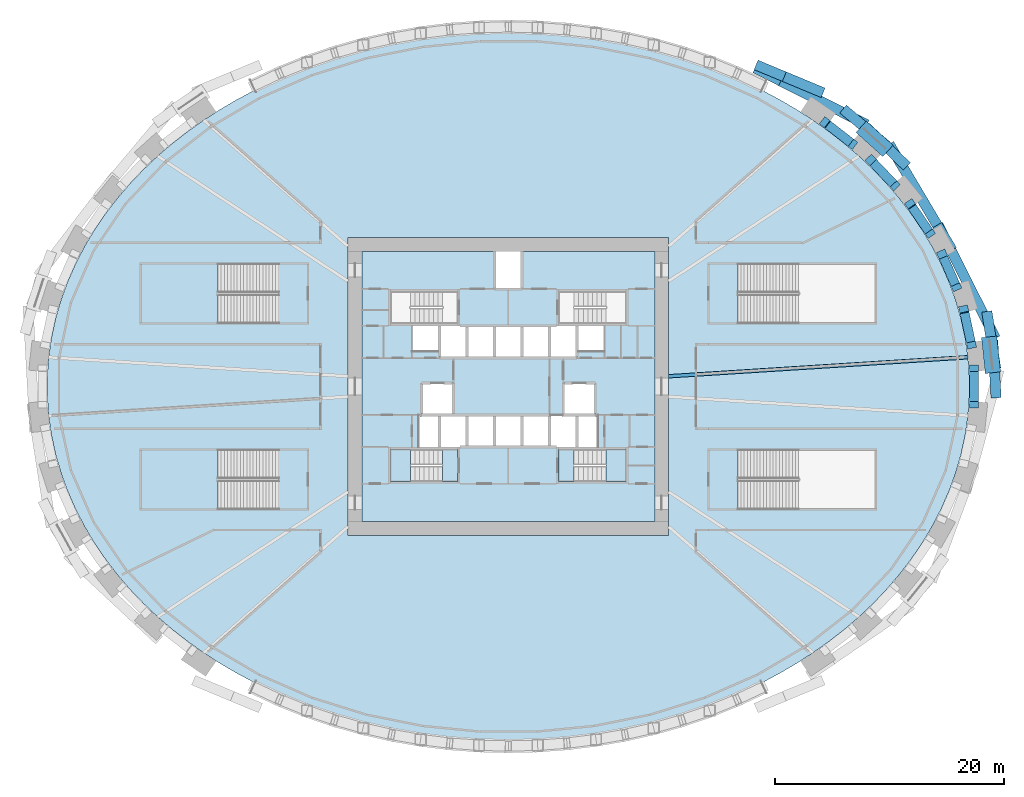
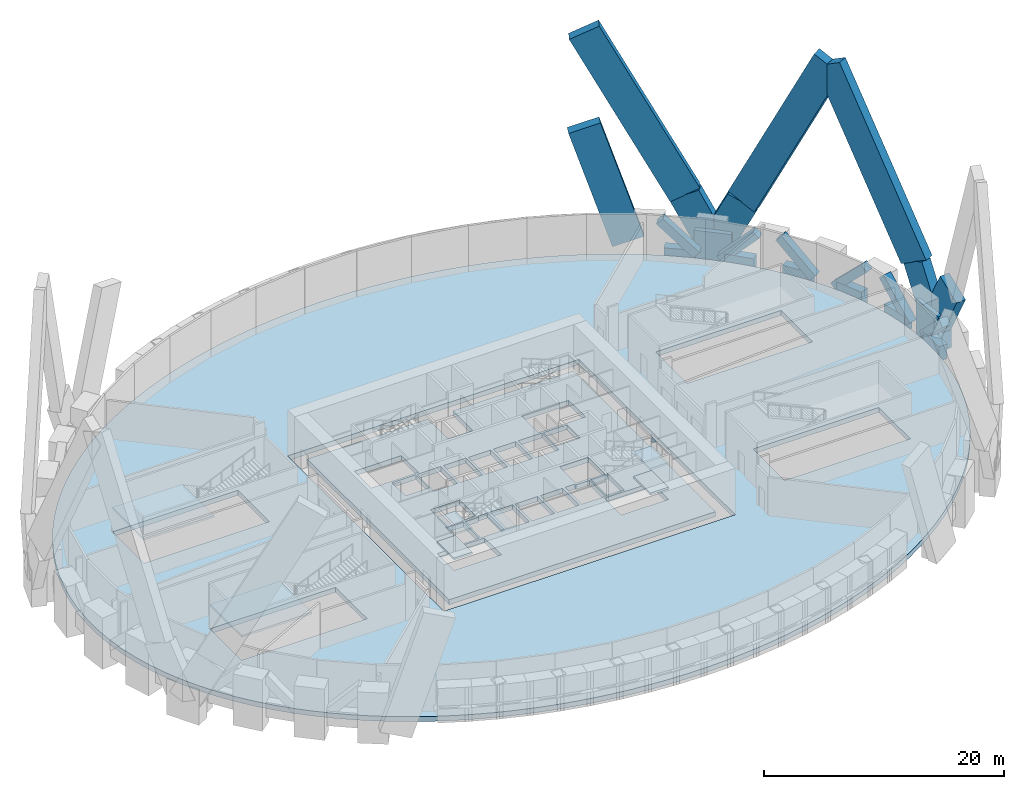
# One storey, part 5 of 16: 16 members, 10 slabs, 7 beams, 4 elements without a shape of their own.
"""IFC4 building model written with IfcOpenShell, lengths in metres."""

from ifc_helpers import new_model, si_unit, direction, frame, origin, origin_2d, place, context, subcontext, project, spatial, polyline, rectangle, i_section, outline, extrude, source, transform, mapped, material, layer, layer_set, material_profile, profile_set, type_object, element, aggregate, save


model = new_model("IFC4")

# Units and contexts
model_context = context("Model", 3, precision=1e-05, world=origin(), true_north=direction((0.0, 1.0)))
body_context = subcontext(model_context, "Body", "Model", "MODEL_VIEW")
ifc_project = project(units=[si_unit("LENGTHUNIT", "METRE"), si_unit("AREAUNIT", "SQUARE_METRE"), si_unit("VOLUMEUNIT", "CUBIC_METRE"), si_unit("PLANEANGLEUNIT", "RADIAN"), si_unit("MASSUNIT", "GRAM", prefix="KILO")], contexts=[model_context])

# Site, building, storey
site_placement = place(None, origin())
site = spatial("IfcSite", under=ifc_project, at=site_placement, CompositionType="ELEMENT")
building_placement = place(site_placement, origin())
building = spatial("IfcBuilding", under=site, at=building_placement, Name="Embergate Tower", CompositionType="ELEMENT")
storey_placement = place(building_placement, frame((0.0, 0.0, 24.0)))
storey = spatial("IfcBuildingStorey", under=building, at=storey_placement, Name="L02", CompositionType="ELEMENT", Elevation=24.0)

# Beams
ifc_material_1 = material(Name="Concrete C70", Category="concrete")
ifc_material_profile_1 = material_profile(ifc_material_1, rectangle(XDim=0.800048828125, YDim=1.5, at=origin_2d()), Name="RC 800x1500")
ifc_profile_set_1 = profile_set([ifc_material_profile_1], Name="Concrete C70")
beam_type_1 = type_object("IfcBeamType", Name="Spandrel beam RC 800x1500 C70", PredefinedType="BEAM", material=ifc_profile_set_1)
shared_shape_1 = source(origin(), body_context, "Body", "SweptSolid", [
    extrude(rectangle(XDim=0.800048828125, YDim=1.5, at=origin_2d()), origin(), (0.0, 0.0, 1.0), 2.59716796875),
])
beam_1_placement = place(storey_placement, frame((40.407958984375, 3.885009765625, 0.0), z_axis=(-0.210196709523, 0.977659114061, 0.0), x_axis=(-0.977659114061, -0.210196709523, 0.0)))
element("IfcBeam", 1, at=beam_1_placement, inside=storey, type_object=beam_type_1, Name="SPN-L02-00", PredefinedType="BEAM", context=body_context, shape_type="MappedRepresentation", body=[
    mapped(shared_shape_1, transform((0.0, 0.0, 0.0))),
])
shared_shape_2 = source(origin(), body_context, "Body", "SweptSolid", [
    extrude(rectangle(XDim=0.800048828125, YDim=1.5, at=origin_2d()), origin(), (0.0, 0.0, 1.0), 2.594482421875),
])
beam_2_placement = place(storey_placement, frame((39.06201171875, 8.89794921875, 0.0), z_axis=(-0.401628265127, 0.915802782618, 0.0), x_axis=(-0.915802782618, -0.401628265127, 0.0)))
element("IfcBeam", 2, at=beam_2_placement, inside=storey, type_object=beam_type_1, Name="SPN-L02-01", PredefinedType="BEAM", context=body_context, shape_type="MappedRepresentation", body=[
    mapped(shared_shape_2, transform((0.0, 0.0, 0.0))),
])
shared_shape_3 = source(origin(), body_context, "Body", "SweptSolid", [
    extrude(rectangle(XDim=0.800048828125, YDim=1.5, at=origin_2d()), origin(), (0.0, 0.0, 1.0), 2.583251953125),
])
beam_3_placement = place(storey_placement, frame((36.743896484375, 13.5390625, 0.0), z_axis=(-0.562418587306, 0.826852666836, 0.0), x_axis=(-0.826852666836, -0.562418587306, 0.0)))
element("IfcBeam", 3, at=beam_3_placement, inside=storey, type_object=beam_type_1, Name="SPN-L02-02", PredefinedType="BEAM", context=body_context, shape_type="MappedRepresentation", body=[
    mapped(shared_shape_3, transform((0.0, 0.0, 0.0))),
])
shared_shape_4 = source(origin(), body_context, "Body", "SweptSolid", [
    extrude(rectangle(XDim=0.800048828125, YDim=1.5, at=origin_2d()), origin(), (0.0, 0.0, 1.0), 2.577392578125),
])
beam_4_placement = place(storey_placement, frame((33.656982421875, 17.697021484375, 0.0), z_axis=(-0.68985145899, 0.723950940692, 0.0), x_axis=(-0.723950940692, -0.68985145899, 0.0)))
element("IfcBeam", 4, at=beam_4_placement, inside=storey, type_object=beam_type_1, Name="SPN-L02-03", PredefinedType="BEAM", context=body_context, shape_type="MappedRepresentation", body=[
    mapped(shared_shape_4, transform((0.0, 0.0, 0.0))),
])
shared_shape_5 = source(origin(), body_context, "Body", "SweptSolid", [
    extrude(rectangle(XDim=0.800048828125, YDim=1.5, at=origin_2d()), origin(), (0.0, 0.0, 1.0), 2.568359375),
])
beam_5_placement = place(storey_placement, frame((29.93798828125, 21.29296875, 0.0), z_axis=(-0.788378750505, 0.615190170396, 0.0), x_axis=(-0.615190170396, -0.788378750505, 0.0)))
element("IfcBeam", 5, at=beam_5_placement, inside=storey, type_object=beam_type_1, Name="SPN-L02-04", PredefinedType="BEAM", context=body_context, shape_type="MappedRepresentation", body=[
    mapped(shared_shape_5, transform((0.0, 0.0, 0.0))),
])
shared_shape_6 = source(origin(), body_context, "Body", "SweptSolid", [
    extrude(rectangle(XDim=0.800048828125, YDim=1.5, at=origin_2d()), origin(), (0.0, 0.0, 1.0), 2.60400390625),
])
beam_6_placement = place(storey_placement, frame((40.7041015625, -1.302001953125, 0.0), z_axis=(0.0, 1.0, 0.0), x_axis=(-1.0, 0.0, 0.0)))
element("IfcBeam", 6, at=beam_6_placement, inside=storey, type_object=beam_type_1, Name="SPN-L02-43", PredefinedType="BEAM", context=body_context, shape_type="MappedRepresentation", body=[
    mapped(shared_shape_6, transform((0.0, 0.0, 0.0))),
])
ifc_material_2 = material(Name="Steel Q355B", Category="steel")
ifc_material_profile_2 = material_profile(ifc_material_2, i_section(OverallWidth=0.300048828125, OverallDepth=0.587890625, WebThickness=0.011962890625, FlangeThickness=0.02001953125, FilletRadius=0.012939453125, at=origin_2d()), Name="HM 588x300x12x20")
ifc_profile_set_2 = profile_set([ifc_material_profile_2], Name="Steel Q355 grade B")
beam_type_2 = type_object("IfcBeamType", Name="Plant girder HM 588x300x12x20", PredefinedType="BEAM", material=ifc_profile_set_2)
shared_shape_7 = source(origin(), body_context, "Body", "SweptSolid", [
    extrude(i_section(OverallWidth=0.300048828125, OverallDepth=0.587890625, WebThickness=0.011962890625, FlangeThickness=0.02001953125, FilletRadius=0.012939453125, at=origin_2d()), origin(), (0.0, 0.0, 1.0), 26.216796875),
])
beam_7_placement = place(storey_placement, frame((40.1640625, 2.552001953125, -0.7939453125), z_axis=(-0.997985925942, -0.063435728273, 0.0), x_axis=(0.063435728273, -0.997985925942, 0.0)))
element("IfcBeam", 7, at=beam_7_placement, inside=storey, type_object=beam_type_2, Name="GIR-L02-00", PredefinedType="BEAM", context=body_context, shape_type="MappedRepresentation", body=[
    mapped(shared_shape_7, transform((0.0, 0.0, 0.0))),
])

# Members
ifc_material_profile_3 = material_profile(ifc_material_1, rectangle(XDim=0.800048828125, YDim=0.800048828125, at=origin_2d()), Name="RC 800x800")
ifc_profile_set_3 = profile_set([ifc_material_profile_3], Name="Concrete C70")
member_type_1 = type_object("IfcMemberType", Name="Belt ring diagonal RC 800x800", PredefinedType="BRACE", material=ifc_profile_set_3)
shared_shape_8 = source(origin(), body_context, "Body", "SweptSolid", [
    extrude(rectangle(XDim=0.800048828125, YDim=0.800048828125, at=origin_2d()), origin(), (0.0, 0.0, 1.0), 4.548583984375),
])
member_1_placement = place(storey_placement, frame((40.465087890625, 3.6220703125, 0.166015625), z_axis=(-0.148834484333, 0.692056199419, 0.706333145987), x_axis=(-0.977646803044, -0.210253961908, 0.0)))
element("IfcMember", 8, at=member_1_placement, inside=storey, type_object=member_type_1, Name="BLT-L02-00", PredefinedType="BRACE", context=body_context, shape_type="MappedRepresentation", body=[
    mapped(shared_shape_8, transform((0.0, 0.0, 0.0))),
])
shared_shape_9 = source(origin(), body_context, "Body", "SweptSolid", [
    extrude(rectangle(XDim=0.800048828125, YDim=0.800048828125, at=origin_2d()), origin(), (0.0, 0.0, 1.0), 4.48681640625),
])
member_2_placement = place(storey_placement, frame((37.8779296875, 11.597900390625, 0.0810546875), z_axis=(0.284201174876, -0.647900323425, 0.706721206067), x_axis=(0.915770340251, 0.401702232899, 0.0)))
element("IfcMember", 9, at=member_2_placement, inside=storey, type_object=member_type_1, Name="BLT-L02-01", PredefinedType="BRACE", context=body_context, shape_type="MappedRepresentation", body=[
    mapped(shared_shape_9, transform((0.0, 0.0, 0.0))),
])
shared_shape_10 = source(origin(), body_context, "Body", "SweptSolid", [
    extrude(rectangle(XDim=0.800048828125, YDim=0.800048828125, at=origin_2d()), origin(), (0.0, 0.0, 1.0), 4.419677734375),
])
member_3_placement = place(storey_placement, frame((36.846923828125, 13.386962890625, 0.25), z_axis=(-0.397071099663, 0.58378511147, 0.708187464898), x_axis=(-0.826862464884, -0.562404182209, 0.0)))
element("IfcMember", 10, at=member_3_placement, inside=storey, type_object=member_type_1, Name="BLT-L02-02", PredefinedType="BRACE", context=body_context, shape_type="MappedRepresentation", body=[
    mapped(shared_shape_10, transform((0.0, 0.0, 0.0))),
])
shared_shape_11 = source(origin(), body_context, "Body", "SweptSolid", [
    extrude(rectangle(XDim=0.800048828125, YDim=0.800048828125, at=origin_2d()), origin(), (0.0, 0.0, 1.0), 4.395751953125),
])
member_4_placement = place(storey_placement, frame((31.635986328125, 19.818115234375, 0.0791015625), z_axis=(0.4863692668, -0.510529439354, 0.709087179312), x_axis=(0.724031150672, 0.689767274417, 0.0)))
element("IfcMember", 11, at=member_4_placement, inside=storey, type_object=member_type_1, Name="BLT-L02-03", PredefinedType="BRACE", context=body_context, shape_type="MappedRepresentation", body=[
    mapped(shared_shape_11, transform((0.0, 0.0, 0.0))),
])
shared_shape_12 = source(origin(), body_context, "Body", "SweptSolid", [
    extrude(rectangle(XDim=0.800048828125, YDim=0.800048828125, at=origin_2d()), origin(), (0.0, 0.0, 1.0), 4.3896484375),
])
member_5_placement = place(storey_placement, frame((30.071044921875, 21.18896484375, 0.262939453125), z_axis=(-0.554726152851, 0.432868823705, 0.710565603451), x_axis=(-0.615192978078, -0.788376559598, 0.0)))
element("IfcMember", 12, at=member_5_placement, inside=storey, type_object=member_type_1, Name="BLT-L02-04", PredefinedType="BRACE", context=body_context, shape_type="MappedRepresentation", body=[
    mapped(shared_shape_12, transform((0.0, 0.0, 0.0))),
])
shared_shape_13 = source(origin(), body_context, "Body", "SweptSolid", [
    extrude(rectangle(XDim=0.800048828125, YDim=0.800048828125, at=origin_2d()), origin(), (0.0, 0.0, 1.0), 4.5537109375),
])
member_6_placement = place(storey_placement, frame((40.7041015625, 1.614013671875, 0.1240234375), z_axis=(0.0, -0.708873803583, 0.705335332018), x_axis=(1.0, 0.0, 0.0)))
element("IfcMember", 13, at=member_6_placement, inside=storey, type_object=member_type_1, Name="BLT-L02-43", PredefinedType="BRACE", context=body_context, shape_type="MappedRepresentation", body=[
    mapped(shared_shape_13, transform((0.0, 0.0, 0.0))),
])
ifc_material_profile_4 = material_profile(ifc_material_1, rectangle(XDim=1.35009765625, YDim=3.14990234375, at=origin_2d()), Name="RC 1350x3150")
ifc_profile_set_4 = profile_set([ifc_material_profile_4], Name="Concrete C70")
member_type_2 = type_object("IfcMemberType", Name="Lattice node block RC 1350x3150", PredefinedType="POST", material=ifc_profile_set_4)
shared_shape_14 = source(origin(), body_context, "Body", "SweptSolid", [
    extrude(rectangle(XDim=1.35009765625, YDim=3.14990234375, at=origin_2d()), origin(), (0.0, 0.0, 1.0), 3.64990234375),
])
for number, where, z_axis, x_axis, name in (
    (14, (42.177001953125, 2.76806640625, -1.824951171875), (0.0, 0.0, 1.0), (0.99428589498, 0.106749983816, 0.0), "NOD-L02-00"),
    (15, (31.9990234375, 21.637939453125, -1.824951171875), (0.0, 0.0, 1.0), (0.669208424634, 0.74307475021, 0.0), "NOD-L02-04"),
):
    element("IfcMember", number, at=place(storey_placement, frame(where, z_axis=z_axis, x_axis=x_axis)), inside=storey, type_object=member_type_2, Name=name, PredefinedType="POST", context=body_context, shape_type="MappedRepresentation", body=[
        mapped(shared_shape_14, transform((0.0, 0.0, 0.0))),
    ])
ifc_material_profile_5 = material_profile(ifc_material_1, rectangle(XDim=0.89990234375, YDim=2.800048828125, at=origin_2d()), Name="RC 900x2800")
ifc_profile_set_5 = profile_set([ifc_material_profile_5], Name="Concrete C70")
member_type_3 = type_object("IfcMemberType", Name="Lattice diagonal terracotta-faced RC 900x2800", PredefinedType="BRACE", material=ifc_profile_set_5)
shared_shape_15 = source(origin(), body_context, "Body", "SweptSolid", [
    extrude(rectangle(XDim=0.89990234375, YDim=2.800048828125, at=origin_2d()), origin(), (0.0, 0.0, 1.0), 5.616943359375),
])
member_7_placement = place(storey_placement, frame((42.39990234375, 2.7919921875, 0.0), z_axis=(-0.070675594574, 0.450089656713, 0.890182150602), x_axis=(-0.987894884623, -0.155124778599, 0.0)))
element("IfcMember", 16, at=member_7_placement, inside=storey, type_object=member_type_3, Name="BRC-L02-00-02-S00", PredefinedType="BRACE", context=body_context, shape_type="MappedRepresentation", body=[
    mapped(shared_shape_15, transform((0.0, 0.0, 0.0))),
])
shared_shape_16 = source(origin(), body_context, "Body", "SweptSolid", [
    extrude(rectangle(XDim=0.89990234375, YDim=2.800048828125, at=origin_2d()), origin(), (0.0, 0.0, 1.0), 18.8837890625),
])
member_8_placement = place(storey_placement, frame((42.0029296875, 5.320068359375, 5.0), z_axis=(-0.205836893928, 0.40760126593, 0.889658575584), x_axis=(-0.892636332639, -0.450777525675, 0.0)))
element("IfcMember", 17, at=member_8_placement, inside=storey, type_object=member_type_3, Name="BRC-L02-00-02-S01", PredefinedType="BRACE", context=body_context, shape_type="MappedRepresentation", body=[
    mapped(shared_shape_16, transform((0.0, 0.0, 0.0))),
])
shared_shape_17 = source(origin(), body_context, "Body", "SweptSolid", [
    extrude(rectangle(XDim=0.89990234375, YDim=2.800048828125, at=origin_2d()), origin(), (0.0, 0.0, 1.0), 5.61376953125),
])
member_9_placement = place(storey_placement, frame((42.39990234375, 2.7919921875, 0.0), z_axis=(0.026571881541, -0.453896444583, 0.890658157043), x_axis=(0.998290825052, 0.058441668497, 0.0)))
element("IfcMember", 18, at=member_9_placement, inside=storey, type_object=member_type_3, Name="BRC-L02-00-42-S00", PredefinedType="BRACE", context=body_context, shape_type="MappedRepresentation", body=[
    mapped(shared_shape_17, transform((0.0, 0.0, 0.0))),
])
shared_shape_18 = source(origin(), body_context, "Body", "SweptSolid", [
    extrude(rectangle(XDim=0.89990234375, YDim=2.800048828125, at=origin_2d()), origin(), (0.0, 0.0, 1.0), 5.572509765625),
])
member_10_placement = place(storey_placement, frame((32.14892578125, 21.804931640625, 0.0), z_axis=(0.317630431179, -0.30667765769, 0.897251204214), x_axis=(0.6945945137, 0.719401460617, 0.0)))
element("IfcMember", 19, at=member_10_placement, inside=storey, type_object=member_type_3, Name="BRC-L02-04-02-S00", PredefinedType="BRACE", context=body_context, shape_type="MappedRepresentation", body=[
    mapped(shared_shape_18, transform((0.0, 0.0, 0.0))),
])
shared_shape_19 = source(origin(), body_context, "Body", "SweptSolid", [
    extrude(rectangle(XDim=0.89990234375, YDim=2.800048828125, at=origin_2d()), origin(), (0.0, 0.0, 1.0), 18.70751953125),
])
member_11_placement = place(storey_placement, frame((33.9189453125, 20.095947265625, 5.0), z_axis=(0.224350858958, -0.378398764207, 0.898042909516), x_axis=(0.860177303931, 0.509995103703, 0.0)))
element("IfcMember", 20, at=member_11_placement, inside=storey, type_object=member_type_3, Name="BRC-L02-04-02-S01", PredefinedType="BRACE", context=body_context, shape_type="MappedRepresentation", body=[
    mapped(shared_shape_19, transform((0.0, 0.0, 0.0))),
])
shared_shape_20 = source(origin(), body_context, "Body", "SweptSolid", [
    extrude(rectangle(XDim=0.89990234375, YDim=2.800048828125, at=origin_2d()), origin(), (0.0, 0.0, 1.0), 5.608642578125),
])
member_12_placement = place(storey_placement, frame((32.14892578125, 21.804931640625, 0.0), z_axis=(-0.346970967935, 0.291340696072, 0.891477283066), x_axis=(-0.643043362238, -0.765829768474, 0.0)))
element("IfcMember", 21, at=member_12_placement, inside=storey, type_object=member_type_3, Name="BRC-L02-04-06-S00", PredefinedType="BRACE", context=body_context, shape_type="MappedRepresentation", body=[
    mapped(shared_shape_20, transform((0.0, 0.0, 0.0))),
])
shared_shape_21 = source(origin(), body_context, "Body", "SweptSolid", [
    extrude(rectangle(XDim=0.89990234375, YDim=2.800048828125, at=origin_2d()), origin(), (0.0, 0.0, 1.0), 18.79052734375),
])
member_13_placement = place(storey_placement, frame((30.202880859375, 23.43896484375, 5.0), z_axis=(-0.399346429249, 0.202869441251, 0.894072938441), x_axis=(-0.452913036005, -0.891554699285, 0.0)))
element("IfcMember", 22, at=member_13_placement, inside=storey, type_object=member_type_3, Name="BRC-L02-04-06-S01", PredefinedType="BRACE", context=body_context, shape_type="MappedRepresentation", body=[
    mapped(shared_shape_21, transform((0.0, 0.0, 0.0))),
])
shared_shape_22 = source(origin(), body_context, "Body", "SweptSolid", [
    extrude(rectangle(XDim=0.89990234375, YDim=2.800048828125, at=origin_2d()), origin(), (0.0, 0.0, 1.0), 12.39697265625),
])
member_14_placement = place(storey_placement, frame((26.27587890625, 26.172119140625, 0.0), z_axis=(-0.273841300916, 0.113888834462, 0.955007997505), x_axis=(-0.384007067703, -0.923330153279, 0.0)))
element("IfcMember", 23, at=member_14_placement, inside=storey, type_object=member_type_3, Name="BRP-N-0-00", PredefinedType="BRACE", context=body_context, shape_type="MappedRepresentation", body=[
    mapped(shared_shape_22, transform((0.0, 0.0, 0.0))),
])

# Slab
ifc_material_3 = material(Name="Concrete C60", Category="concrete")
ifc_layer_1 = layer(ifc_material_3, 0.5)
ifc_layer_set_1 = layer_set([ifc_layer_1], Name="Concrete C60")
slab_type_1 = type_object("IfcSlabType", Name="Transfer floor slab C60 500", PredefinedType="FLOOR", material=ifc_layer_set_1)
shared_shape_23 = source(origin(), body_context, "Body", "SweptSolid", [
    extrude(outline(polyline([(0.0, 0.0), (1.7041015625, 0.0), (3.406982421875, 0.054931640625), (5.111083984375, 0.1669921875), (6.80810546875, 0.3330078125), (8.4931640625, 0.554931640625), (10.18115234375, 0.8349609375), (11.85302734375, 1.169921875), (13.504150390625, 1.559814453125), (15.157958984375, 2.011962890625), (16.78515625, 2.518798828125), (18.383056640625, 3.079833984375), (19.98193359375, 3.7080078125), (21.5439453125, 4.390869140625), (23.06396484375, 5.126953125), (24.5830078125, 5.93798828125), (26.052978515625, 6.802001953125), (27.468994140625, 7.7158203125), (28.875, 8.71484375), (30.218017578125, 9.762939453125), (31.49609375, 10.85888671875), (32.7490234375, 12.0458984375), (33.925048828125, 13.27880859375), (35.02001953125, 14.555908203125), (36.071044921875, 15.9248046875), (37.029052734375, 17.3330078125), (37.89208984375, 18.77783203125), (38.68212890625, 20.306884765625), (39.365966796875, 21.866943359375), (39.942138671875, 23.452880859375), (40.4169921875, 25.099853515625), (40.775146484375, 26.763916015625), (41.01513671875, 28.44189453125), (41.136962890625, 30.141845703125), (41.136962890625, 31.843994140625), (41.01513671875, 33.5439453125), (40.775146484375, 35.221923828125), (40.4169921875, 36.885986328125), (39.942138671875, 38.532958984375), (39.365966796875, 40.118896484375), (38.68212890625, 41.678955078125), (37.89208984375, 43.2080078125), (37.029052734375, 44.65283203125), (36.071044921875, 46.06103515625), (35.02001953125, 47.429931640625), (33.925048828125, 48.70703125), (32.7490234375, 49.93994140625), (31.49609375, 51.126953125), (30.218017578125, 52.222900390625), (28.875, 53.27099609375), (27.468994140625, 54.27001953125), (26.052978515625, 55.183837890625), (24.5830078125, 56.0478515625), (23.06396484375, 56.85888671875), (21.5439453125, 57.594970703125), (19.98193359375, 58.27783203125), (18.383056640625, 58.906005859375), (16.78515625, 59.467041015625), (15.157958984375, 59.973876953125), (13.504150390625, 60.426025390625), (11.85302734375, 60.81591796875), (10.18115234375, 61.15087890625), (8.4931640625, 61.430908203125), (6.80810546875, 61.65283203125), (5.111083984375, 61.81884765625), (3.406982421875, 61.930908203125), (1.7041015625, 61.98583984375), (0.0, 61.98583984375), (-1.702880859375, 61.930908203125), (-3.406982421875, 61.81884765625), (-5.10400390625, 61.65283203125), (-6.7890625, 61.430908203125), (-8.47705078125, 61.15087890625), (-10.14892578125, 60.81591796875), (-11.800048828125, 60.426025390625), (-13.453857421875, 59.973876953125), (-15.0810546875, 59.467041015625), (-16.678955078125, 58.906005859375), (-18.27783203125, 58.27783203125), (-19.83984375, 57.594970703125), (-21.35986328125, 56.85888671875), (-22.87890625, 56.0478515625), (-24.348876953125, 55.183837890625), (-25.764892578125, 54.27001953125), (-27.1708984375, 53.27099609375), (-28.513916015625, 52.222900390625), (-29.7919921875, 51.126953125), (-31.044921875, 49.93994140625), (-32.220947265625, 48.70703125), (-33.31591796875, 47.429931640625), (-34.366943359375, 46.06103515625), (-35.324951171875, 44.65283203125), (-36.18798828125, 43.2080078125), (-36.97802734375, 41.678955078125), (-37.661865234375, 40.118896484375), (-38.238037109375, 38.532958984375), (-38.712890625, 36.885986328125), (-39.071044921875, 35.221923828125), (-39.31103515625, 33.5439453125), (-39.432861328125, 31.843994140625), (-39.432861328125, 30.141845703125), (-39.31103515625, 28.44189453125), (-39.071044921875, 26.763916015625), (-38.712890625, 25.099853515625), (-38.238037109375, 23.452880859375), (-37.661865234375, 21.866943359375), (-36.97802734375, 20.306884765625), (-36.18798828125, 18.77783203125), (-35.324951171875, 17.3330078125), (-34.366943359375, 15.9248046875), (-33.31591796875, 14.555908203125), (-32.220947265625, 13.27880859375), (-31.044921875, 12.0458984375), (-29.7919921875, 10.85888671875), (-28.513916015625, 9.762939453125), (-27.1708984375, 8.71484375), (-25.764892578125, 7.7158203125), (-24.348876953125, 6.802001953125), (-22.87890625, 5.93798828125), (-21.35986328125, 5.126953125), (-19.83984375, 4.390869140625), (-18.27783203125, 3.7080078125), (-16.678955078125, 3.079833984375), (-15.0810546875, 2.518798828125), (-13.453857421875, 2.011962890625), (-11.800048828125, 1.559814453125), (-10.14892578125, 1.169921875), (-8.47705078125, 0.8349609375), (-6.7890625, 0.554931640625), (-5.10400390625, 0.3330078125), (-3.406982421875, 0.1669921875), (-1.702880859375, 0.054931640625), (0.0, 0.0)]), holes=[polyline([(-13.14794921875, 17.992919921875), (-13.14794921875, 43.992919921875), (14.85205078125, 43.992919921875), (14.85205078125, 17.992919921875), (-13.14794921875, 17.992919921875)]), polyline([(-31.26806640625, 20.242919921875), (-31.26806640625, 25.492919921875), (-19.2080078125, 25.492919921875), (-19.2080078125, 20.242919921875), (-31.26806640625, 20.242919921875)]), polyline([(20.912109375, 20.242919921875), (20.912109375, 25.492919921875), (32.97216796875, 25.492919921875), (32.97216796875, 20.242919921875), (20.912109375, 20.242919921875)]), polyline([(-31.26806640625, 36.492919921875), (-31.26806640625, 41.742919921875), (-19.2080078125, 41.742919921875), (-19.2080078125, 36.492919921875), (-31.26806640625, 36.492919921875)]), polyline([(20.912109375, 36.492919921875), (20.912109375, 41.742919921875), (32.97216796875, 41.742919921875), (32.97216796875, 36.492919921875), (20.912109375, 36.492919921875)])]), origin(), (0.0, 0.0, 1.0), 0.5),
])
slab_1_placement = place(storey_placement, frame((-0.85205078125, -30.992919921875, -0.5)))
element("IfcSlab", 24, at=slab_1_placement, inside=storey, type_object=slab_type_1, Name="SLB-L02-00", PredefinedType="FLOOR", context=body_context, shape_type="MappedRepresentation", body=[
    mapped(shared_shape_23, transform((0.0, 0.0, 0.0))),
])

# Stair, slab
ifc_material_4 = material(Name="Exit stair")
stair_type_1 = type_object("IfcStairType", Name="Exit stair", PredefinedType="HALF_TURN_STAIR", material=ifc_material_4)
stair_1_placement = place(storey_placement, origin())
stair_1 = element("IfcStair", 25, at=stair_1_placement, inside=storey, type_object=stair_type_1, Name="L02 Exit stair 3", PredefinedType="HALF_TURN_STAIR")
ifc_material_5 = material(Name="Concrete C40", Category="concrete")
ifc_layer_2 = layer(ifc_material_5, 0.199951171875)
ifc_layer_set_2 = layer_set([ifc_layer_2], Name="Concrete C40")
slab_type_2 = type_object("IfcSlabType", Name="Stair landing reinforced concrete", PredefinedType="LANDING", material=ifc_layer_set_2)
shared_shape_24 = source(origin(), body_context, "Body", "SweptSolid", [
    extrude(outline(polyline([(0.0, 0.0), (1.35009765625, 0.0), (1.35009765625, 2.800048828125), (0.0, 2.800048828125), (0.0, 0.0)])), origin(), (0.0, 0.0, 1.0), 0.199951171875),
])
slab_2_placement = place(storey_placement, frame((-5.75, -8.300048828125, 2.300048828125)))
slab_2 = element("IfcSlab", 26, at=slab_2_placement, type_object=slab_type_2, Name="ST3 landing 2", PredefinedType="LANDING", context=body_context, shape_type="MappedRepresentation", body=[
    mapped(shared_shape_24, transform((0.0, 0.0, 0.0))),
])

stair_2_placement = place(storey_placement, origin())
stair_2 = element("IfcStair", 27, at=stair_2_placement, inside=storey, type_object=stair_type_1, Name="L02 Exit stair 4", PredefinedType="HALF_TURN_STAIR")
slab_3_placement = place(storey_placement, frame((4.39990234375, -8.300048828125, 2.300048828125)))
slab_3 = element("IfcSlab", 28, at=slab_3_placement, type_object=slab_type_2, Name="ST4 landing 2", PredefinedType="LANDING", context=body_context, shape_type="MappedRepresentation", body=[
    mapped(shared_shape_24, transform((0.0, 0.0, 0.0))),
])

# Slab
shared_shape_25 = source(origin(), body_context, "Body", "SweptSolid", [
    extrude(outline(polyline([(0.0, 0.0), (1.75, 0.0), (1.75, 2.800048828125), (0.0, 2.800048828125), (0.0, 0.0)])), origin(), (0.0, 0.0, 1.0), 0.199951171875),
])
slab_4_placement = place(storey_placement, frame((-10.300048828125, -8.300048828125, 1.050048828125)))
slab_4 = element("IfcSlab", 29, at=slab_4_placement, type_object=slab_type_2, Name="ST3 landing 1", PredefinedType="LANDING", context=body_context, shape_type="MappedRepresentation", body=[
    mapped(shared_shape_25, transform((0.0, 0.0, 0.0))),
])

slab_5_placement = place(storey_placement, frame((-10.300048828125, -8.300048828125, 3.550048828125)))
slab_5 = element("IfcSlab", 30, at=slab_5_placement, type_object=slab_type_2, Name="ST3 landing 3", PredefinedType="LANDING", context=body_context, shape_type="MappedRepresentation", body=[
    mapped(shared_shape_25, transform((0.0, 0.0, 0.0))),
])

aggregate(stair_1, [slab_4, slab_2, slab_5])

slab_6_placement = place(storey_placement, frame((8.550048828125, -8.300048828125, 1.050048828125)))
slab_6 = element("IfcSlab", 31, at=slab_6_placement, type_object=slab_type_2, Name="ST4 landing 1", PredefinedType="LANDING", context=body_context, shape_type="MappedRepresentation", body=[
    mapped(shared_shape_25, transform((0.0, 0.0, 0.0))),
])

slab_7_placement = place(storey_placement, frame((8.550048828125, -8.300048828125, 3.550048828125)))
slab_7 = element("IfcSlab", 32, at=slab_7_placement, type_object=slab_type_2, Name="ST4 landing 3", PredefinedType="LANDING", context=body_context, shape_type="MappedRepresentation", body=[
    mapped(shared_shape_25, transform((0.0, 0.0, 0.0))),
])

aggregate(stair_2, [slab_6, slab_3, slab_7])

ifc_layer_3 = layer(ifc_material_5, 0.5)
ifc_layer_set_3 = layer_set([ifc_layer_3], Name="Concrete C40")
slab_type_3 = type_object("IfcSlabType", Name="Core floor slab 500 reinforced concrete", PredefinedType="FLOOR", material=ifc_layer_set_3)
shared_shape_26 = source(origin(), body_context, "Body", "SweptSolid", [
    extrude(outline(polyline([(0.0, 0.0), (25.60009765625, 0.0), (25.60009765625, 23.60009765625), (14.0, 23.60009765625), (14.0, 20.300048828125), (11.60009765625, 20.300048828125), (11.60009765625, 23.60009765625), (0.0, 23.60009765625), (0.0, 0.0)]), holes=[polyline([(2.5, 3.5), (2.5, 6.300048828125), (7.0400390625, 6.300048828125), (7.0400390625, 3.5), (2.5, 3.5)]), polyline([(18.56005859375, 3.5), (18.56005859375, 6.300048828125), (23.10009765625, 6.300048828125), (23.10009765625, 3.5), (18.56005859375, 3.5)]), polyline([(5.0, 6.5), (5.0, 9.300048828125), (5.074951171875, 9.300048828125), (5.074951171875, 9.175048828125), (6.675048828125, 9.175048828125), (6.675048828125, 6.5), (5.0, 6.5)]), polyline([(6.800048828125, 6.5), (6.800048828125, 9.175048828125), (8.125, 9.175048828125), (8.125, 9.300048828125), (9.074951171875, 9.300048828125), (9.074951171875, 6.5), (6.800048828125, 6.5)]), polyline([(9.324951171875, 6.5), (9.324951171875, 9.300048828125), (11.47509765625, 9.300048828125), (11.47509765625, 6.5), (9.324951171875, 6.5)]), polyline([(11.72509765625, 6.5), (11.72509765625, 9.300048828125), (13.875, 9.300048828125), (13.875, 6.5), (11.72509765625, 6.5)]), polyline([(14.125, 6.5), (14.125, 9.300048828125), (16.275146484375, 9.300048828125), (16.275146484375, 6.5), (14.125, 6.5)]), polyline([(16.525146484375, 6.5), (16.525146484375, 9.300048828125), (17.47509765625, 9.300048828125), (17.47509765625, 9.175048828125), (18.800048828125, 9.175048828125), (18.800048828125, 6.5), (16.525146484375, 6.5)]), polyline([(18.925048828125, 6.5), (18.925048828125, 9.175048828125), (20.525146484375, 9.175048828125), (20.525146484375, 9.300048828125), (20.60009765625, 9.300048828125), (20.60009765625, 6.5), (18.925048828125, 6.5)]), polyline([(5.199951171875, 9.300048828125), (5.199951171875, 12.10009765625), (8.0, 12.10009765625), (8.0, 9.425048828125), (6.675048828125, 9.425048828125), (6.675048828125, 9.300048828125), (5.199951171875, 9.300048828125)]), polyline([(18.925048828125, 9.300048828125), (18.925048828125, 9.425048828125), (17.60009765625, 9.425048828125), (17.60009765625, 12.10009765625), (20.400146484375, 12.10009765625), (20.400146484375, 9.300048828125), (18.925048828125, 9.300048828125)]), polyline([(6.800048828125, 14.300048828125), (6.800048828125, 17.10009765625), (9.074951171875, 17.10009765625), (9.074951171875, 14.300048828125), (6.800048828125, 14.300048828125)]), polyline([(9.324951171875, 14.300048828125), (9.324951171875, 17.10009765625), (11.47509765625, 17.10009765625), (11.47509765625, 14.300048828125), (9.324951171875, 14.300048828125)]), polyline([(11.72509765625, 14.300048828125), (11.72509765625, 17.10009765625), (13.875, 17.10009765625), (13.875, 14.300048828125), (11.72509765625, 14.300048828125)]), polyline([(14.125, 14.300048828125), (14.125, 17.10009765625), (16.275146484375, 17.10009765625), (16.275146484375, 14.300048828125), (14.125, 14.300048828125)]), polyline([(16.525146484375, 14.300048828125), (16.525146484375, 17.10009765625), (18.800048828125, 17.10009765625), (18.800048828125, 14.300048828125), (16.525146484375, 14.300048828125)]), polyline([(4.400146484375, 14.900146484375), (4.400146484375, 17.10009765625), (6.675048828125, 17.10009765625), (6.675048828125, 14.900146484375), (4.400146484375, 14.900146484375)]), polyline([(18.925048828125, 14.900146484375), (18.925048828125, 17.10009765625), (21.199951171875, 17.10009765625), (21.199951171875, 14.900146484375), (18.925048828125, 14.900146484375)]), polyline([(2.5, 17.300048828125), (2.5, 20.10009765625), (7.0400390625, 20.10009765625), (7.0400390625, 17.300048828125), (2.5, 17.300048828125)]), polyline([(18.56005859375, 17.300048828125), (18.56005859375, 20.10009765625), (23.10009765625, 20.10009765625), (23.10009765625, 17.300048828125), (18.56005859375, 17.300048828125)])]), origin(), (0.0, 0.0, 1.0), 0.5),
])
slab_8_placement = place(storey_placement, frame((-12.800048828125, -11.800048828125, -0.5)))
element("IfcSlab", 33, at=slab_8_placement, inside=storey, type_object=slab_type_3, Name="Core floor slab", PredefinedType="FLOOR", context=body_context, shape_type="MappedRepresentation", body=[
    mapped(shared_shape_26, transform((0.0, 0.0, 0.0))),
])

# Stair, slab
stair_type_2 = type_object("IfcStairType", Name="Podium exit stair RC", PredefinedType="HALF_TURN_STAIR", material=ifc_material_5)
stair_3_placement = place(storey_placement, origin())
stair_3 = element("IfcStair", 34, at=stair_3_placement, inside=storey, type_object=stair_type_2, Name="L02 Podium exit stair 3", PredefinedType="HALF_TURN_STAIR")
ifc_layer_4 = layer(ifc_material_5, 0.199951171875)
ifc_layer_set_4 = layer_set([ifc_layer_4], Name="Concrete C40")
slab_type_4 = type_object("IfcSlabType", Name="Podium exit stair landing RC", PredefinedType="LANDING", material=ifc_layer_set_4)
shared_shape_27 = source(origin(), body_context, "Body", "SweptSolid", [
    extrude(outline(polyline([(0.0, 0.0), (6.75, 0.0), (6.75, 5.25), (0.0, 5.25), (0.0, 0.0)])), origin(), (0.0, 0.0, 1.0), 0.199951171875),
])
slab_9_placement = place(storey_placement, frame((-32.1201171875, 5.5, 2.300048828125)))
slab_9 = element("IfcSlab", 35, at=slab_9_placement, type_object=slab_type_4, Name="P3 landing 1", PredefinedType="LANDING", context=body_context, shape_type="MappedRepresentation", body=[
    mapped(shared_shape_27, transform((0.0, 0.0, 0.0))),
])
aggregate(stair_3, [slab_9])

stair_4_placement = place(storey_placement, origin())
stair_4 = element("IfcStair", 36, at=stair_4_placement, inside=storey, type_object=stair_type_2, Name="L02 Podium exit stair 4", PredefinedType="HALF_TURN_STAIR")
slab_10_placement = place(storey_placement, frame((-32.1201171875, -10.75, 2.300048828125)))
slab_10 = element("IfcSlab", 37, at=slab_10_placement, type_object=slab_type_4, Name="P4 landing 1", PredefinedType="LANDING", context=body_context, shape_type="MappedRepresentation", body=[
    mapped(shared_shape_27, transform((0.0, 0.0, 0.0))),
])
aggregate(stair_4, [slab_10])

save(model, "model.ifc")
